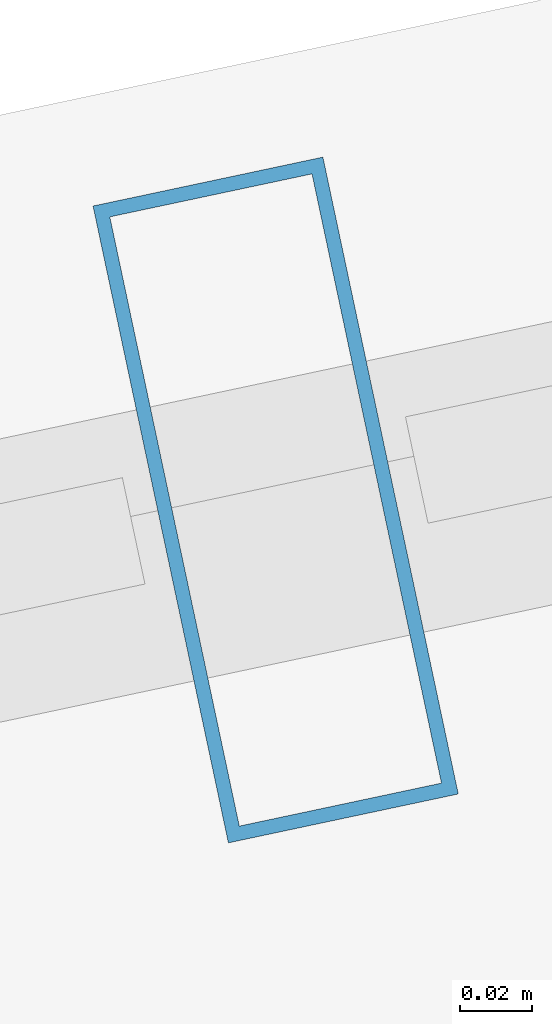
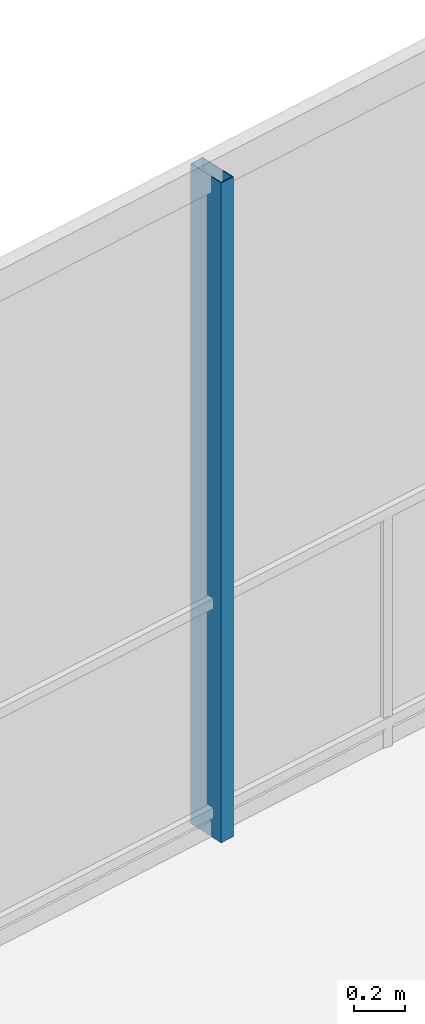
# One storey, part 17 of 27: 1 member, 1 element without a shape of its own.
"""IFC4 building model written with IfcOpenShell, lengths in metres."""

from ifc_helpers import new_model, si_unit, direction, frame, origin, origin_2d, place, context, subcontext, project, spatial, hollow_rectangle, extrude, material, layer, layer_set, material_profile, profile_set, type_object, element, aggregate, save


model = new_model("IFC4")

# Units and contexts
model_context = context("Model", 3, precision=1e-05, world=origin(), true_north=direction((0.0, 1.0)))
body_context = subcontext(model_context, "Body", "Model", "MODEL_VIEW")
ifc_project = project(units=[si_unit("LENGTHUNIT", "METRE"), si_unit("AREAUNIT", "SQUARE_METRE"), si_unit("VOLUMEUNIT", "CUBIC_METRE"), si_unit("PLANEANGLEUNIT", "RADIAN"), si_unit("MASSUNIT", "GRAM", prefix="KILO")], contexts=[model_context])

# Site, building, storey
site_placement = place(None, origin())
site = spatial("IfcSite", under=ifc_project, at=site_placement, CompositionType="ELEMENT")
building_placement = place(site_placement, origin())
building = spatial("IfcBuilding", under=site, at=building_placement, Name="Qarnah Convention Tower", CompositionType="ELEMENT")
storey_placement = place(building_placement, frame((0.0, 0.0, 110.85009765625)))
storey = spatial("IfcBuildingStorey", under=building, at=storey_placement, Name="L29", CompositionType="ELEMENT", Elevation=110.85009765625)

# Curtain wall, member
ifc_material_1 = material(Name="Tempered Low-E dark glass", Category="glass")
ifc_layer = layer(ifc_material_1, 0.169921875)
ifc_layer_set = layer_set([ifc_layer], Name="Tempered Low-E dark glass")
curtain_wall_type = type_object("IfcCurtainWallType", Name="CWS-02", PredefinedType="NOTDEFINED", material=ifc_layer_set)
curtain_wall_placement = place(storey_placement, origin())
curtain_wall = element("IfcCurtainWall", 1, at=curtain_wall_placement, inside=storey, type_object=curtain_wall_type, Name="L29 unitised curtain wall CW-L29-F1", PredefinedType="NOTDEFINED")
ifc_material_2 = material(Name="Black anodised aluminium", Category="aluminium")
ifc_material_profile = material_profile(ifc_material_2, hollow_rectangle(XDim=0.06494140625, YDim=0.179931640625, WallThickness=0.00390625, at=origin_2d()), Name="MUL-65X180")
ifc_profile_set = profile_set([ifc_material_profile], Name="Black anodised aluminium")
member_type = type_object("IfcMemberType", Name="MUL-T2", PredefinedType="MULLION", material=ifc_profile_set)
member_placement = place(storey_placement, frame((31.0703125, 42.669921875, 0.0), z_axis=(0.0, 0.0, 1.0), x_axis=(0.978150383892, 0.207898596655, 0.0)))
member = element("IfcMember", 2, at=member_placement, type_object=member_type, Name="CW-L29-F1 mullion 3", PredefinedType="MULLION", context=body_context, shape_type="SweptSolid", body=[
    extrude(hollow_rectangle(XDim=0.06494140625, YDim=0.179931640625, WallThickness=0.00390625, at=origin_2d()), origin(), (0.0, 0.0, 1.0), 3.169921875),
])
aggregate(curtain_wall, [member])

save(model, "model.ifc")
